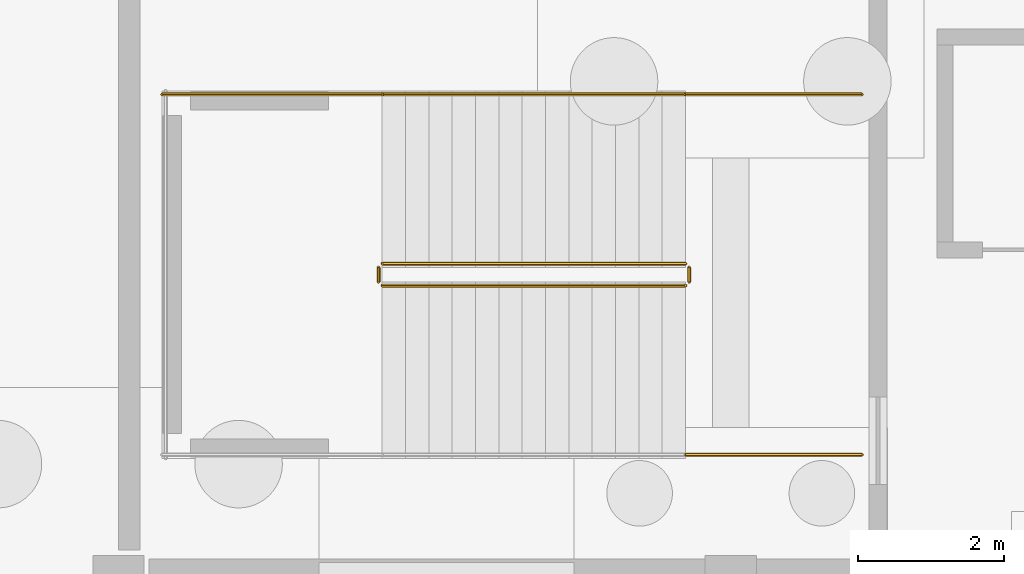
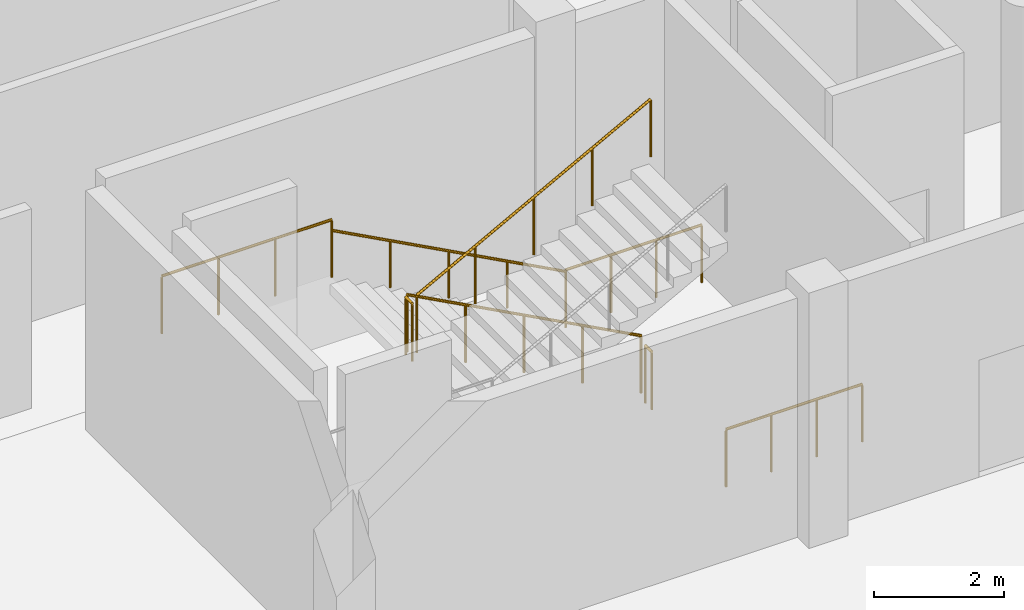
# One storey, part 23 of 24: 8 railings.
"""IFC4 building model written with IfcOpenShell, lengths in metres."""

from ifc_helpers import new_model, si_unit, derived_unit, direction, frame, origin, origin_2d, place, context, subcontext, project, spatial, circle, extrude, material, type_object, element, save


model = new_model("IFC4")

# Units and contexts
model_context = context("Model", 3, precision=1e-05, world=origin(), true_north=direction((0.0, 1.0)))
body_context = subcontext(model_context, "Body", "Model", "MODEL_VIEW")
ifc_project = project(units=[si_unit("LENGTHUNIT", "METRE"), si_unit("AREAUNIT", "SQUARE_METRE"), si_unit("VOLUMEUNIT", "CUBIC_METRE"), si_unit("PLANEANGLEUNIT", "RADIAN"), si_unit("MASSUNIT", "GRAM", prefix="KILO"), derived_unit("THERMALTRANSMITTANCEUNIT", [(si_unit("POWERUNIT", "WATT"), 1), (si_unit("LENGTHUNIT", "METRE"), -2), (si_unit("THERMODYNAMICTEMPERATUREUNIT", "KELVIN"), -1)])], contexts=[model_context])

# Site, building, storey
site_placement = place(None, origin())
site = spatial("IfcSite", under=ifc_project, at=site_placement, CompositionType="ELEMENT")
building_placement = place(site_placement, origin())
building = spatial("IfcBuilding", under=site, at=building_placement, Name="Elbkamm Science Centre", CompositionType="ELEMENT")
storey_placement = place(building_placement, frame((0.0, 0.0, -4.800048828125)))
storey = spatial("IfcBuildingStorey", under=building, at=storey_placement, Name="B01", CompositionType="ELEMENT", Elevation=-4.800048828125)

# Railings
ifc_material = material(Name="Stainless steel EN 1.4401", Category="steel")
railing_type_1 = type_object("IfcRailingType", Name="RAIL-GUARD-1100", PredefinedType="GUARDRAIL", material=ifc_material)
railing_1_placement = place(storey_placement, frame((32.97998046875, 71.550048828125, 0.17138671875)))
element("IfcRailing", 1, at=railing_1_placement, inside=storey, type_object=railing_type_1, Name="B01 ST-C1 stair guard 1", PredefinedType="GUARDRAIL", context=body_context, shape_type="SweptSolid", body=[
    extrude(circle(Radius=0.02392578125, at=origin_2d()), frame((0.0, 0.0, 1.078125), z_axis=(-0.881459204653, 0.0, 0.472260172503), x_axis=(0.0, -1.0, 0.0)), (0.0, 0.0, 1.0), 4.71923828125),
    extrude(circle(Radius=0.02001953125, at=origin_2d()), origin(), (0.0, 0.0, 1.0), 1.048095703125),
    extrude(circle(Radius=0.02001953125, at=origin_2d()), frame((-1.0400390625, 0.0, 0.55712890625)), (0.0, 0.0, 1.0), 1.048095703125),
    extrude(circle(Radius=0.02001953125, at=origin_2d()), frame((-2.080078125, 0.0, 1.1142578125)), (0.0, 0.0, 1.0), 1.048095703125),
    extrude(circle(Radius=0.02001953125, at=origin_2d()), frame((-3.119873046875, 0.0, 1.671630859375)), (0.0, 0.0, 1.0), 1.048095703125),
    extrude(circle(Radius=0.02001953125, at=origin_2d()), frame((-4.159912109375, 0.0, 2.228759765625)), (0.0, 0.0, 1.0), 1.048095703125),
])
railing_2_placement = place(storey_placement, frame((28.77001953125, 71.5, 2.400146484375)))
element("IfcRailing", 2, at=railing_2_placement, inside=storey, type_object=railing_type_1, Name="B01 ST-C1 stair guard 2", PredefinedType="GUARDRAIL", context=body_context, shape_type="SweptSolid", body=[
    extrude(circle(Radius=0.02392578125, at=origin_2d()), frame((0.0, 0.0, 1.078125), z_axis=(0.0, -1.0, 0.0), x_axis=(1.0, 0.0, 0.0)), (0.0, 0.0, 1.0), 0.199951171875),
    extrude(circle(Radius=0.02001953125, at=origin_2d()), origin(), (0.0, 0.0, 1.0), 1.048095703125),
    extrude(circle(Radius=0.02001953125, at=origin_2d()), frame((0.0, -0.199951171875, 0.0)), (0.0, 0.0, 1.0), 1.048095703125),
])
railing_3_placement = place(storey_placement, frame((28.820068359375, 73.8701171875, 2.400146484375)))
element("IfcRailing", 3, at=railing_3_placement, inside=storey, type_object=railing_type_1, Name="B01 ST-C1 stair guard 3", PredefinedType="GUARDRAIL", context=body_context, shape_type="SweptSolid", body=[
    extrude(circle(Radius=0.02392578125, at=origin_2d()), frame((0.0, 0.0, 1.078125), z_axis=(-1.0, 0.0, 0.0), x_axis=(0.0, -1.0, 0.0)), (0.0, 0.0, 1.0), 3.02001953125),
    extrude(circle(Radius=0.02001953125, at=origin_2d()), origin(), (0.0, 0.0, 1.0), 1.048095703125),
    extrude(circle(Radius=0.02001953125, at=origin_2d()), frame((-1.006591796875, 0.0, 0.0)), (0.0, 0.0, 1.0), 1.048095703125),
    extrude(circle(Radius=0.02001953125, at=origin_2d()), frame((-2.013427734375, 0.0, 0.0)), (0.0, 0.0, 1.0), 1.048095703125),
    extrude(circle(Radius=0.02001953125, at=origin_2d()), frame((-3.02001953125, 0.0, 0.0)), (0.0, 0.0, 1.0), 1.048095703125),
])
railing_4_placement = place(storey_placement, frame((28.820068359375, 71.25, 2.571533203125)))
element("IfcRailing", 4, at=railing_4_placement, inside=storey, type_object=railing_type_1, Name="B01 ST-C1 stair guard 6", PredefinedType="GUARDRAIL", context=body_context, shape_type="SweptSolid", body=[
    extrude(circle(Radius=0.02392578125, at=origin_2d()), frame((0.0, 0.0, 1.078125), z_axis=(0.881480739103, 0.0, 0.472219976908), x_axis=(0.0, 1.0, 0.0)), (0.0, 0.0, 1.0), 4.71923828125),
    extrude(circle(Radius=0.02001953125, at=origin_2d()), origin(), (0.0, 0.0, 1.0), 1.048095703125),
    extrude(circle(Radius=0.02001953125, at=origin_2d()), frame((1.0400390625, 0.0, 0.55712890625)), (0.0, 0.0, 1.0), 1.048095703125),
    extrude(circle(Radius=0.02001953125, at=origin_2d()), frame((2.080078125, 0.0, 1.1142578125)), (0.0, 0.0, 1.0), 1.048095703125),
    extrude(circle(Radius=0.02001953125, at=origin_2d()), frame((3.119873046875, 0.0, 1.67138671875)), (0.0, 0.0, 1.0), 1.048095703125),
    extrude(circle(Radius=0.02001953125, at=origin_2d()), frame((4.159912109375, 0.0, 2.228515625)), (0.0, 0.0, 1.0), 1.048095703125),
])
railing_5_placement = place(storey_placement, frame((33.030029296875, 71.5, 0.0)))
element("IfcRailing", 5, at=railing_5_placement, inside=storey, type_object=railing_type_1, Name="B01 ST-C1 stair guard 7", PredefinedType="GUARDRAIL", context=body_context, shape_type="SweptSolid", body=[
    extrude(circle(Radius=0.02392578125, at=origin_2d()), frame((0.0, 0.0, 1.078125), z_axis=(0.0, -1.0, 0.0), x_axis=(1.0, 0.0, 0.0)), (0.0, 0.0, 1.0), 0.199951171875),
    extrude(circle(Radius=0.02001953125, at=origin_2d()), origin(), (0.0, 0.0, 1.0), 1.048095703125),
    extrude(circle(Radius=0.02001953125, at=origin_2d()), frame((0.0, -0.199951171875, 0.0)), (0.0, 0.0, 1.0), 1.048095703125),
])
for number, where, name in (
    (6, (35.39990234375, 73.8701171875, 0.0), "B01 ST-C1 stair guard 8"),
    (7, (35.39990234375, 68.929931640625, 0.0), "B01 ST-C1 stair guard 9"),
):
    element("IfcRailing", number, at=place(storey_placement, frame(where)), inside=storey, type_object=railing_type_1, Name=name, PredefinedType="GUARDRAIL", context=body_context, shape_type="SweptSolid", body=[
        extrude(circle(Radius=0.02392578125, at=origin_2d()), frame((0.0, 0.0, 1.078125), z_axis=(-1.0, 0.0, 0.0), x_axis=(0.0, -1.0, 0.0)), (0.0, 0.0, 1.0), 2.419921875),
        extrude(circle(Radius=0.02001953125, at=origin_2d()), origin(), (0.0, 0.0, 1.0), 1.048095703125),
        extrude(circle(Radius=0.02001953125, at=origin_2d()), frame((-0.806640625, 0.0, 0.0)), (0.0, 0.0, 1.0), 1.048095703125),
        extrude(circle(Radius=0.02001953125, at=origin_2d()), frame((-1.61328125, 0.0, 0.0)), (0.0, 0.0, 1.0), 1.048095703125),
        extrude(circle(Radius=0.02001953125, at=origin_2d()), frame((-2.419921875, 0.0, 0.0)), (0.0, 0.0, 1.0), 1.048095703125),
    ])
railing_type_2 = type_object("IfcRailingType", Name="RAIL-HAND-900", PredefinedType="HANDRAIL", material=ifc_material)
railing_6_placement = place(storey_placement, frame((32.97998046875, 73.8701171875, 0.17138671875)))
element("IfcRailing", 8, at=railing_6_placement, inside=storey, type_object=railing_type_2, Name="B01 ST-C1 stair handrail 1", PredefinedType="HANDRAIL", context=body_context, shape_type="SweptSolid", body=[
    extrude(circle(Radius=0.02392578125, at=origin_2d()), frame((0.0, 0.0, 0.8779296875), z_axis=(-0.881459204653, 0.0, 0.472260172503), x_axis=(0.0, -1.0, 0.0)), (0.0, 0.0, 1.0), 4.71923828125),
    extrude(circle(Radius=0.02001953125, at=origin_2d()), origin(), (0.0, 0.0, 1.0), 0.847900390625),
    extrude(circle(Radius=0.02001953125, at=origin_2d()), frame((-1.0400390625, 0.0, 0.55712890625)), (0.0, 0.0, 1.0), 0.847900390625),
    extrude(circle(Radius=0.02001953125, at=origin_2d()), frame((-2.080078125, 0.0, 1.1142578125)), (0.0, 0.0, 1.0), 0.847900390625),
    extrude(circle(Radius=0.02001953125, at=origin_2d()), frame((-3.119873046875, 0.0, 1.671630859375)), (0.0, 0.0, 1.0), 0.847900390625),
    extrude(circle(Radius=0.02001953125, at=origin_2d()), frame((-4.159912109375, 0.0, 2.228759765625)), (0.0, 0.0, 1.0), 0.847900390625),
])

save(model, "model.ifc")
